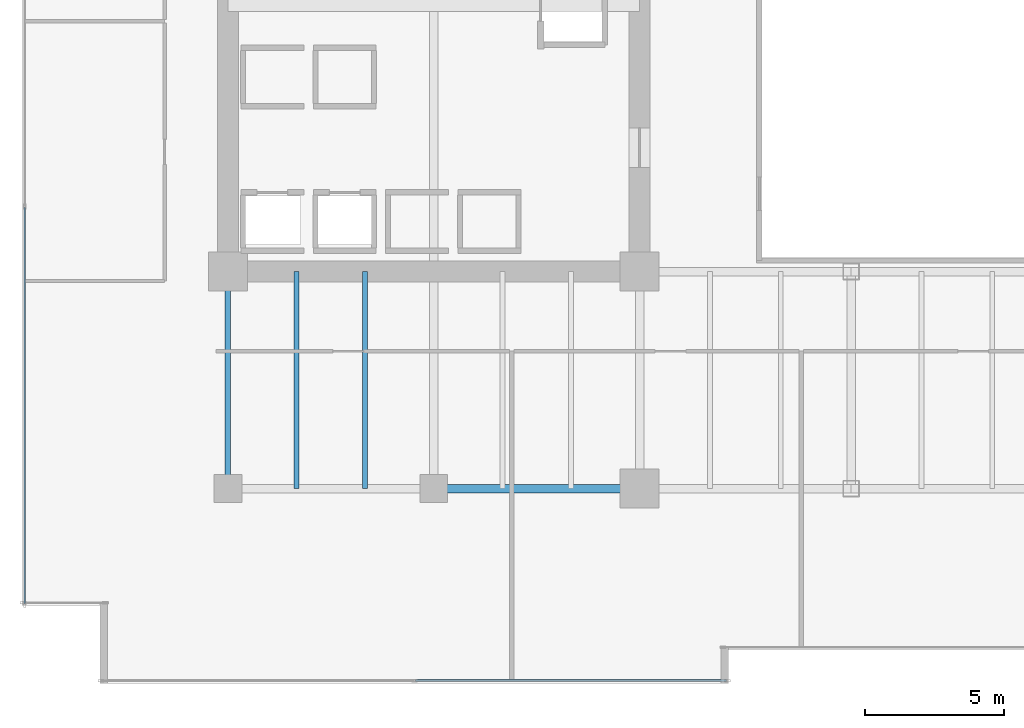
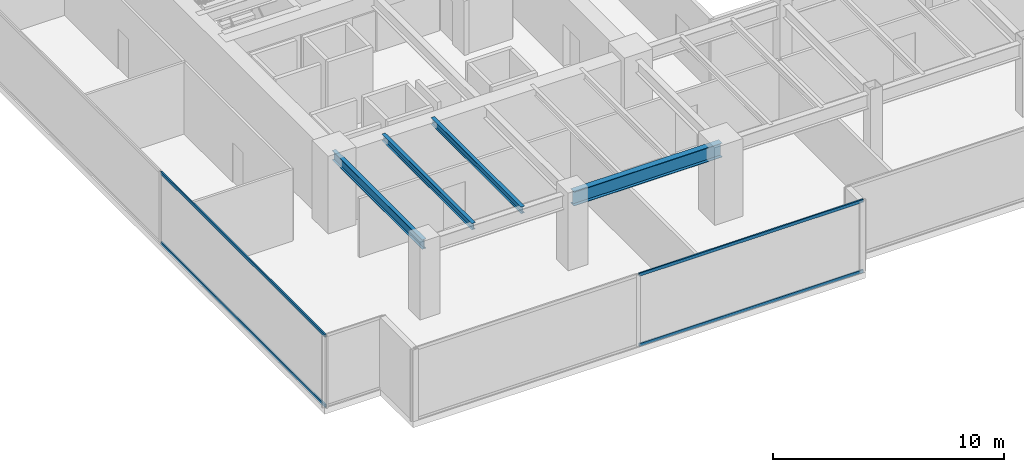
# One storey, part 3 of 35: 4 beams, 4 members, 2 elements without a shape of their own.
"""IFC4 building model written with IfcOpenShell, lengths in metres."""

from ifc_helpers import new_model, si_unit, direction, frame, origin, origin_2d, place, context, subcontext, project, spatial, hollow_rectangle, i_section, extrude, source, transform, mapped, material, layer, layer_set, material_profile, profile_set, type_object, type_shapes, element, aggregate, save


model = new_model("IFC4")

# Units and contexts
model_context = context("Model", 3, precision=1e-05, world=origin(), true_north=direction((0.0, 1.0)))
body_context = subcontext(model_context, "Body", "Model", "MODEL_VIEW")
ifc_project = project(units=[si_unit("LENGTHUNIT", "METRE"), si_unit("AREAUNIT", "SQUARE_METRE"), si_unit("VOLUMEUNIT", "CUBIC_METRE"), si_unit("PLANEANGLEUNIT", "RADIAN"), si_unit("MASSUNIT", "GRAM", prefix="KILO")], contexts=[model_context])

# Site, building, storey
site_placement = place(None, origin())
site = spatial("IfcSite", under=ifc_project, at=site_placement, CompositionType="ELEMENT")
building_placement = place(site_placement, origin())
building = spatial("IfcBuilding", under=site, at=building_placement, Name="Haelvirn Gate Laboratories", CompositionType="ELEMENT")
storey_placement = place(building_placement, frame((0.0, 0.0, 86.699951171875)))
storey = spatial("IfcBuildingStorey", under=building, at=storey_placement, Name="L21", CompositionType="ELEMENT", Elevation=86.699951171875)

# Beams
ifc_material_1 = material(Name="Steel SM355", Category="steel")
ifc_material_profile_1 = material_profile(ifc_material_1, i_section(OverallWidth=0.300048828125, OverallDepth=0.75, WebThickness=0.013916015625, FlangeThickness=0.02392578125, at=origin_2d()), Name="H-750x300x14x24")
ifc_profile_set_1 = profile_set([ifc_material_profile_1], Name="Steel SM355")
beam_type_1 = type_object("IfcBeamType", Name="BM-G-750", PredefinedType="BEAM", material=ifc_profile_set_1)
shared_shape_1 = source(origin(), body_context, "Body", "SweptSolid", [
    extrude(i_section(OverallWidth=0.300048828125, OverallDepth=0.75, WebThickness=0.013916015625, FlangeThickness=0.02392578125, at=origin_2d()), origin(), (0.0, 0.0, 1.0), 7.39990234375),
])
type_shapes(beam_type_1, [shared_shape_1])
beam_1_placement = place(storey_placement, frame((14.800048828125, 7.0, 3.405029296875), z_axis=(1.0, 0.0, 0.0), x_axis=(0.0, 1.0, 0.0)))
element("IfcBeam", 1, at=beam_1_placement, inside=storey, type_object=beam_type_1, Name="L21 Primary Girder Y7.0 (14.8-22.2)", PredefinedType="BEAM", context=body_context, shape_type="MappedRepresentation", body=[
    mapped(shared_shape_1, transform((0.0, 0.0, 0.0), scale=1.0)),
])
ifc_material_profile_2 = material_profile(ifc_material_1, i_section(OverallWidth=0.199951171875, OverallDepth=0.5, WebThickness=0.010009765625, FlangeThickness=0.01611328125, at=origin_2d()), Name="H-500x200x10x16")
ifc_profile_set_2 = profile_set([ifc_material_profile_2], Name="Steel SM355")
beam_type_2 = type_object("IfcBeamType", Name="BM-SP-500", PredefinedType="SPANDREL", material=ifc_profile_set_2)
shared_shape_2 = source(origin(), body_context, "Body", "SweptSolid", [
    extrude(i_section(OverallWidth=0.199951171875, OverallDepth=0.5, WebThickness=0.010009765625, FlangeThickness=0.01611328125, at=origin_2d()), origin(), (0.0, 0.0, 1.0), 7.800048828125),
])
type_shapes(beam_type_2, [shared_shape_2])
beam_2_placement = place(storey_placement, frame((7.39990234375, 7.0, 3.530029296875), z_axis=(0.0, 1.0, 0.0), x_axis=(-1.0, 0.0, 0.0)))
element("IfcBeam", 2, at=beam_2_placement, inside=storey, type_object=beam_type_2, Name="L21 Perimeter Spandrel X7.4 (7.0-14.8)", PredefinedType="SPANDREL", context=body_context, shape_type="MappedRepresentation", body=[
    mapped(shared_shape_2, transform((0.0, 0.0, 0.0), scale=1.0)),
])
ifc_material_profile_3 = material_profile(ifc_material_1, i_section(OverallWidth=0.175048828125, OverallDepth=0.35009765625, WebThickness=0.007080078125, FlangeThickness=0.010986328125, at=origin_2d()), Name="H-350x175x7x11")
ifc_profile_set_3 = profile_set([ifc_material_profile_3], Name="Steel SM355")
beam_type_3 = type_object("IfcBeamType", Name="BM-J-350", PredefinedType="JOIST", material=ifc_profile_set_3)
shared_shape_3 = source(origin(), body_context, "Body", "SweptSolid", [
    extrude(i_section(OverallWidth=0.175048828125, OverallDepth=0.35009765625, WebThickness=0.007080078125, FlangeThickness=0.010986328125, at=origin_2d()), origin(), (0.0, 0.0, 1.0), 7.800048828125),
])
type_shapes(beam_type_3, [shared_shape_3])
for number, where, z_axis, x_axis, name in (
    (3, (9.8701171875, 7.0, 3.60498046875), (0.0, 1.0, 0.0), (-1.0, 0.0, 0.0), "L21 Composite Lab Joist South X9.87"),
    (4, (12.330078125, 7.0, 3.60498046875), (0.0, 1.0, 0.0), (-1.0, 0.0, 0.0), "L21 Composite Lab Joist South X12.33"),
):
    element("IfcBeam", number, at=place(storey_placement, frame(where, z_axis=z_axis, x_axis=x_axis)), inside=storey, type_object=beam_type_3, Name=name, PredefinedType="JOIST", context=body_context, shape_type="MappedRepresentation", body=[
        mapped(shared_shape_3, transform((0.0, 0.0, 0.0), scale=1.0)),
    ])

# Curtain wall, members
ifc_material_2 = material(Name="Anodised bronze unitised aluminium & triple low-E glass", Category="aluminium")
ifc_layer = layer(ifc_material_2, 0.18408203125, Name="CW-SYS-2")
ifc_layer_set = layer_set([ifc_layer], Name="Anodised bronze unitised aluminium & triple low-E glass")
curtain_wall_type = type_object("IfcCurtainWallType", Name="CW-SYS-2", PredefinedType="NOTDEFINED", material=ifc_layer_set)
curtain_wall_1_placement = place(storey_placement, origin())
curtain_wall_1 = element("IfcCurtainWall", 5, at=curtain_wall_1_placement, inside=storey, type_object=curtain_wall_type, Name="L21 Unitised Curtain Wall CW-L21-P0-E00-1", PredefinedType="NOTDEFINED")
ifc_material_3 = material(Name="Extruded aluminium 6063-T6 (anodised bronze)", Category="aluminium")
ifc_material_profile_4 = material_profile(ifc_material_3, hollow_rectangle(XDim=0.070068359375, YDim=0.159912109375, WallThickness=0.0048828125, at=origin_2d()), Name="CWT-160x70x5")
ifc_profile_set_4 = profile_set([ifc_material_profile_4], Name="Extruded aluminium 6063-T6 (anodised bronze)")
member_type = type_object("IfcMemberType", Name="CWT-T160", PredefinedType="USERDEFINED", material=ifc_profile_set_4)
shared_shape_4 = source(origin(), body_context, "Body", "SweptSolid", [
    extrude(hollow_rectangle(XDim=0.070068359375, YDim=0.159912109375, WallThickness=0.0048828125, at=origin_2d()), origin(), (0.0, 0.0, 1.0), 11.1875),
])
member_1_placement = place(storey_placement, frame((14.137451171875, 0.10009765625, 0.03515625), z_axis=(1.0, 0.0, 0.0), x_axis=(0.0, 1.0, 0.0)))
member_1 = element("IfcMember", 6, at=member_1_placement, type_object=member_type, Name="CW2 transom 2.1", ObjectType="TRANSOM", PredefinedType="USERDEFINED", context=body_context, shape_type="MappedRepresentation", body=[
    mapped(shared_shape_4, transform((0.0, 0.0, 0.0), scale=1.0)),
])
member_2_placement = place(storey_placement, frame((14.137451171875, 0.10009765625, 3.7451171875), z_axis=(1.0, 0.0, 0.0), x_axis=(0.0, 1.0, 0.0)))
member_2 = element("IfcMember", 7, at=member_2_placement, type_object=member_type, Name="CW2 transom 2.2", ObjectType="TRANSOM", PredefinedType="USERDEFINED", context=body_context, shape_type="MappedRepresentation", body=[
    mapped(shared_shape_4, transform((0.0, 0.0, 0.0), scale=1.0)),
])
aggregate(curtain_wall_1, [member_1, member_2])

curtain_wall_2_placement = place(storey_placement, origin())
curtain_wall_2 = element("IfcCurtainWall", 8, at=curtain_wall_2_placement, inside=storey, type_object=curtain_wall_type, Name="L21 Unitised Curtain Wall CW-L21-P0-E17", PredefinedType="NOTDEFINED")
shared_shape_5 = source(origin(), body_context, "Body", "SweptSolid", [
    extrude(hollow_rectangle(XDim=0.070068359375, YDim=0.159912109375, WallThickness=0.0048828125, at=origin_2d()), origin(), (0.0, 0.0, 1.0), 14.220947265625),
])
type_shapes(member_type, [shared_shape_4, shared_shape_5])
member_3_placement = place(storey_placement, frame((0.10009765625, 17.095947265625, 0.03515625), z_axis=(0.0, -1.0, 0.0), x_axis=(1.0, 0.0, 0.0)))
member_3 = element("IfcMember", 9, at=member_3_placement, type_object=member_type, Name="CW2 transom 3.1", ObjectType="TRANSOM", PredefinedType="USERDEFINED", context=body_context, shape_type="MappedRepresentation", body=[
    mapped(shared_shape_5, transform((0.0, 0.0, 0.0), scale=1.0)),
])
member_4_placement = place(storey_placement, frame((0.10009765625, 17.095947265625, 3.7451171875), z_axis=(0.0, -1.0, 0.0), x_axis=(1.0, 0.0, 0.0)))
member_4 = element("IfcMember", 10, at=member_4_placement, type_object=member_type, Name="CW2 transom 3.2", ObjectType="TRANSOM", PredefinedType="USERDEFINED", context=body_context, shape_type="MappedRepresentation", body=[
    mapped(shared_shape_5, transform((0.0, 0.0, 0.0), scale=1.0)),
])
aggregate(curtain_wall_2, [member_3, member_4])

save(model, "model.ifc")
